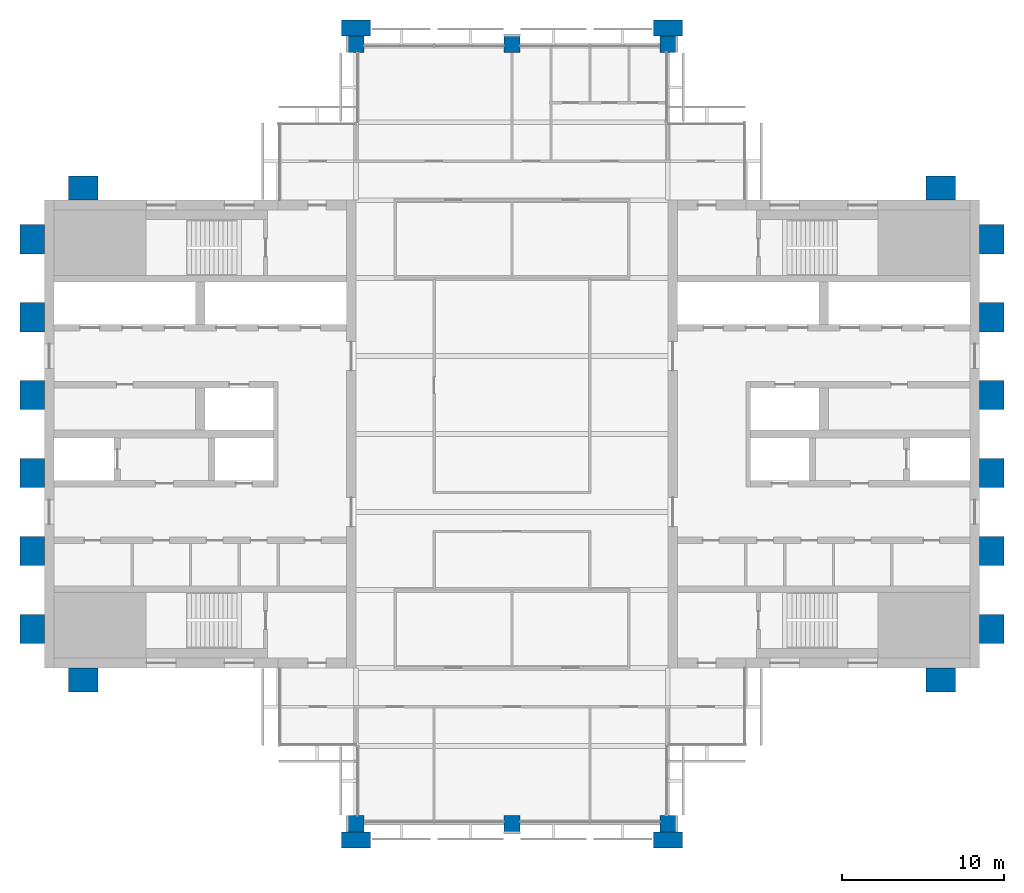
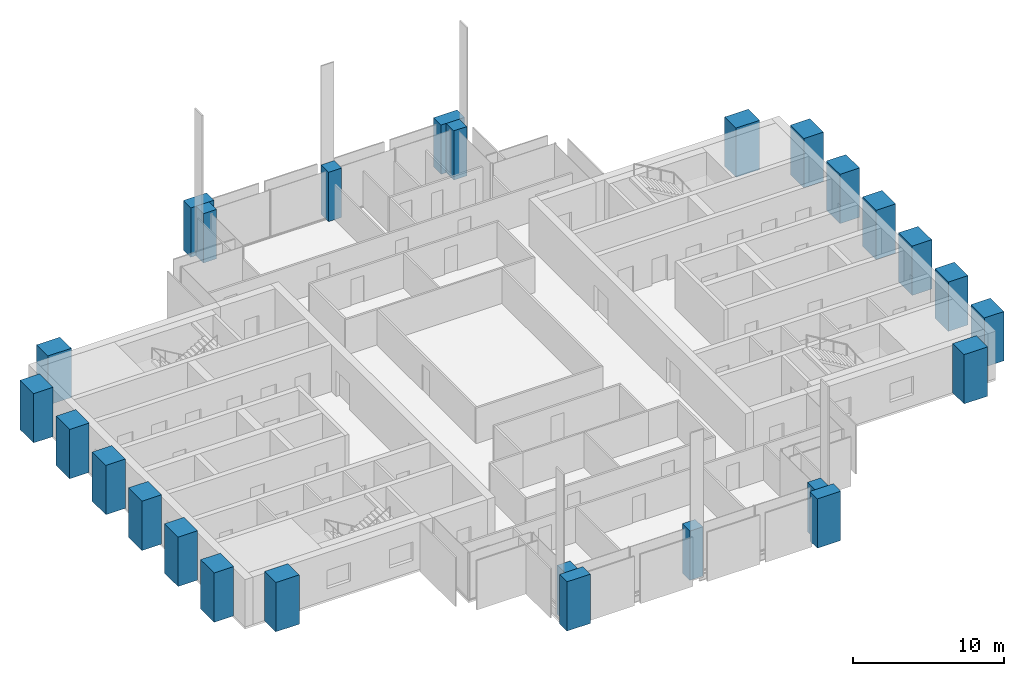
# One storey, part 1 of 13: 26 columns.
"""IFC4 building model written with IfcOpenShell, lengths in metres."""

from ifc_helpers import new_model, si_unit, direction, frame, origin, origin_2d, place, context, subcontext, project, spatial, rectangle, extrude, material, material_profile, profile_set, type_object, element, save


model = new_model("IFC4")

# Units and contexts
model_context = context("Model", 3, precision=1e-05, world=origin(), true_north=direction((0.0, 1.0)))
body_context = subcontext(model_context, "Body", "Model", "MODEL_VIEW")
ifc_project = project(units=[si_unit("LENGTHUNIT", "METRE"), si_unit("AREAUNIT", "SQUARE_METRE"), si_unit("VOLUMEUNIT", "CUBIC_METRE"), si_unit("PLANEANGLEUNIT", "RADIAN"), si_unit("MASSUNIT", "GRAM", prefix="KILO")], contexts=[model_context])

# Site, building, storey
site_placement = place(None, origin())
site = spatial("IfcSite", under=ifc_project, at=site_placement, CompositionType="ELEMENT")
building_placement = place(site_placement, origin())
building = spatial("IfcBuilding", under=site, at=building_placement, Name="Baori Bourse Tower", CompositionType="ELEMENT")
storey_placement = place(building_placement, frame((0.0, 0.0, 330.300048828125)))
storey = spatial("IfcBuildingStorey", under=building, at=storey_placement, Name="L73", CompositionType="ELEMENT", Elevation=330.300048828125)

# Columns
ifc_material_1 = material(Name="Concrete f'c 60 MPa", Category="concrete")
ifc_material_profile_1 = material_profile(ifc_material_1, rectangle(XDim=1.800048828125, YDim=1.0, at=origin_2d()), Name="RC 1800x1000")
ifc_profile_set_1 = profile_set([ifc_material_profile_1], Name="Concrete f'c 60 MPa")
column_type_1 = type_object("IfcColumnType", Name="FN3 Brick pilaster 1800x1000", PredefinedType="PILASTER", material=ifc_profile_set_1)
for number, where, z_axis, x_axis, name in (
    (1, (19.199951171875, -1.0, 0.0), (0.0, 0.0, 1.0), (1.0, 0.0, 0.0), "Brick pilaster L73 17"),
    (2, (38.39990234375, -1.0, 0.0), (0.0, 0.0, 1.0), (1.0, 0.0, 0.0), "Brick pilaster L73 18"),
    (3, (19.199951171875, 49.0, 0.0), (0.0, 0.0, 1.0), (1.0, 0.0, 0.0), "Brick pilaster L73 19"),
    (4, (38.39990234375, 49.0, 0.0), (0.0, 0.0, 1.0), (1.0, 0.0, 0.0), "Brick pilaster L73 20"),
):
    element("IfcColumn", number, at=place(storey_placement, frame(where, z_axis=z_axis, x_axis=x_axis)), inside=storey, type_object=column_type_1, Name=name, PredefinedType="PILASTER", context=body_context, shape_type="SweptSolid", body=[
        extrude(rectangle(XDim=1.800048828125, YDim=1.0, at=origin_2d()), origin(), (0.0, 0.0, 1.0), 4.0),
    ])
ifc_material_2 = material(Name="Concrete f'c 60 MPa", Category="concrete")
ifc_material_profile_2 = material_profile(ifc_material_2, rectangle(XDim=1.800048828125, YDim=1.5, at=origin_2d()), Name="RC 1800x1500")
ifc_profile_set_2 = profile_set([ifc_material_profile_2], Name="Concrete f'c 60 MPa")
column_type_2 = type_object("IfcColumnType", Name="FN4 Brick flank pilaster 1800x1500", PredefinedType="PILASTER", material=ifc_profile_set_2)
for number, where, z_axis, x_axis, name in (
    (5, (55.199951171875, 8.85009765625, 0.0), (0.0, 0.0, 1.0), (1.0, 0.0, 0.0), "Brick pilaster L73 1"),
    (6, (58.35009765625, 12.0, 0.0), (0.0, 0.0, 1.0), (0.0, 1.0, 0.0), "Brick pilaster L73 2"),
    (7, (58.35009765625, 16.800048828125, 0.0), (0.0, 0.0, 1.0), (0.0, 1.0, 0.0), "Brick pilaster L73 3"),
    (8, (58.35009765625, 21.60009765625, 0.0), (0.0, 0.0, 1.0), (0.0, 1.0, 0.0), "Brick pilaster L73 4"),
    (9, (58.35009765625, 26.39990234375, 0.0), (0.0, 0.0, 1.0), (0.0, 1.0, 0.0), "Brick pilaster L73 5"),
    (10, (58.35009765625, 31.199951171875, 0.0), (0.0, 0.0, 1.0), (0.0, 1.0, 0.0), "Brick pilaster L73 6"),
    (11, (58.35009765625, 36.0, 0.0), (0.0, 0.0, 1.0), (0.0, 1.0, 0.0), "Brick pilaster L73 7"),
    (12, (55.199951171875, 39.14990234375, 0.0), (0.0, 0.0, 1.0), (1.0, 0.0, 0.0), "Brick pilaster L73 8"),
    (13, (2.39990234375, 39.14990234375, 0.0), (0.0, 0.0, 1.0), (1.0, 0.0, 0.0), "Brick pilaster L73 9"),
    (14, (-0.75, 12.0, 0.0), (0.0, 0.0, 1.0), (0.0, 1.0, 0.0), "Brick pilaster L73 10"),
    (15, (-0.75, 16.800048828125, 0.0), (0.0, 0.0, 1.0), (0.0, 1.0, 0.0), "Brick pilaster L73 11"),
    (16, (-0.75, 21.60009765625, 0.0), (0.0, 0.0, 1.0), (0.0, 1.0, 0.0), "Brick pilaster L73 12"),
    (17, (-0.75, 26.39990234375, 0.0), (0.0, 0.0, 1.0), (0.0, 1.0, 0.0), "Brick pilaster L73 13"),
    (18, (-0.75, 31.199951171875, 0.0), (0.0, 0.0, 1.0), (0.0, 1.0, 0.0), "Brick pilaster L73 14"),
    (19, (-0.75, 36.0, 0.0), (0.0, 0.0, 1.0), (0.0, 1.0, 0.0), "Brick pilaster L73 15"),
    (20, (2.39990234375, 8.85009765625, 0.0), (0.0, 0.0, 1.0), (1.0, 0.0, 0.0), "Brick pilaster L73 16"),
):
    element("IfcColumn", number, at=place(storey_placement, frame(where, z_axis=z_axis, x_axis=x_axis)), inside=storey, type_object=column_type_2, Name=name, PredefinedType="PILASTER", context=body_context, shape_type="SweptSolid", body=[
        extrude(rectangle(XDim=1.800048828125, YDim=1.5, at=origin_2d()), origin(), (0.0, 0.0, 1.0), 4.0),
    ])
ifc_material_3 = material(Name="Concrete f'c 40 MPa", Category="concrete")
ifc_material_profile_3 = material_profile(ifc_material_3, rectangle(XDim=1.0, YDim=1.0, at=origin_2d()), Name="RC 1000x1000")
ifc_profile_set_3 = profile_set([ifc_material_profile_3], Name="Concrete f'c 40 MPa")
column_type_3 = type_object("IfcColumnType", Name="Perimeter column 40 RC 1000x1000", PredefinedType="COLUMN", material=ifc_profile_set_3)
for number, where, z_axis, x_axis, name in (
    (21, (19.199951171875, 0.0, 0.0), (0.0, 0.0, 1.0), (1.0, 0.0, 0.0), "Perimeter column L73"),
    (22, (28.800048828125, 0.0, 0.0), (0.0, 0.0, 1.0), (1.0, 0.0, 0.0), "Perimeter column L73"),
    (23, (38.39990234375, 0.0, 0.0), (0.0, 0.0, 1.0), (1.0, 0.0, 0.0), "Perimeter column L73"),
    (24, (19.199951171875, 48.0, 0.0), (0.0, 0.0, 1.0), (1.0, 0.0, 0.0), "Perimeter column L73"),
    (25, (28.800048828125, 48.0, 0.0), (0.0, 0.0, 1.0), (1.0, 0.0, 0.0), "Perimeter column L73"),
    (26, (38.39990234375, 48.0, 0.0), (0.0, 0.0, 1.0), (1.0, 0.0, 0.0), "Perimeter column L73"),
):
    element("IfcColumn", number, at=place(storey_placement, frame(where, z_axis=z_axis, x_axis=x_axis)), inside=storey, type_object=column_type_3, Name=name, PredefinedType="COLUMN", context=body_context, shape_type="SweptSolid", body=[
        extrude(rectangle(XDim=1.0, YDim=1.0, at=origin_2d()), origin(), (0.0, 0.0, 1.0), 4.0),
    ])

save(model, "model.ifc")
